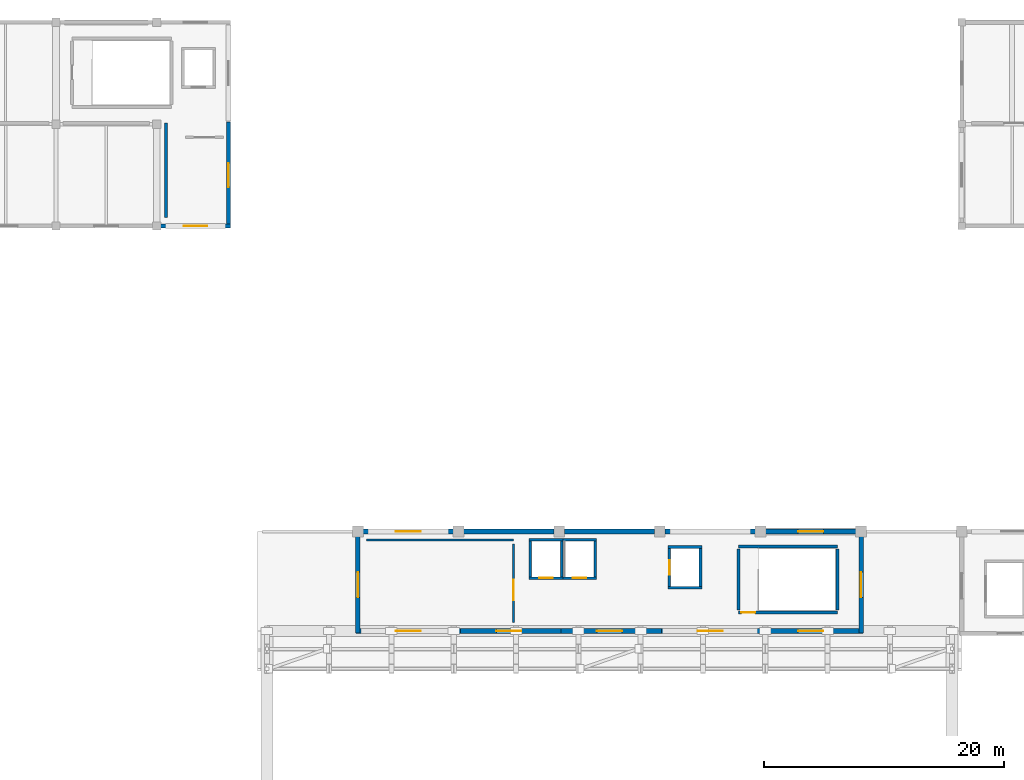
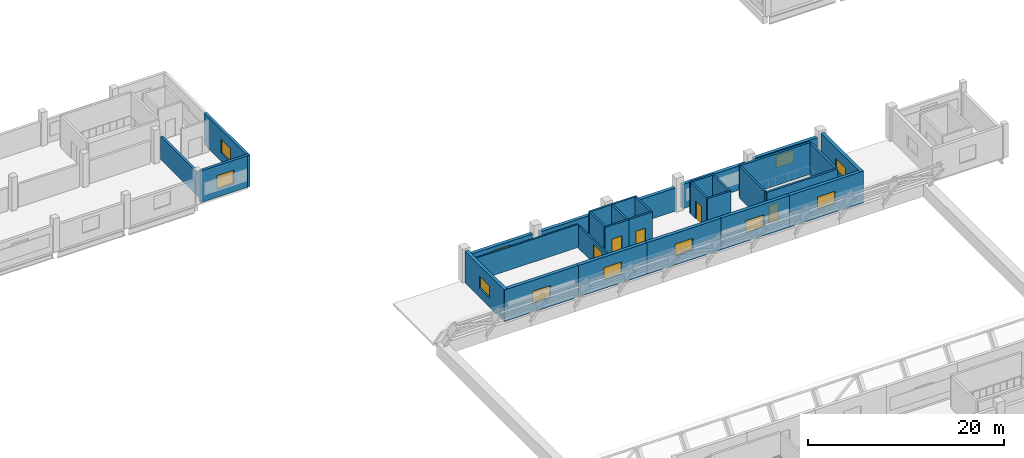
# One storey, part 42 of 52: 32 walls, 11 windows, 5 doors, 16 openings.
"""IFC4 building model written with IfcOpenShell, lengths in metres."""

from ifc_helpers import new_model, si_unit, direction, frame, frame_2d, origin, place, context, subcontext, project, spatial, rectangle, extrude, material, layer, layer_set, type_object, element, fill, save


model = new_model("IFC4")

# Units and contexts
model_context = context("Model", 3, precision=1e-05, world=origin(), true_north=direction((0.0, 1.0)))
body_context = subcontext(model_context, "Body", "Model", "MODEL_VIEW")
ifc_project = project(units=[si_unit("LENGTHUNIT", "METRE"), si_unit("AREAUNIT", "SQUARE_METRE"), si_unit("VOLUMEUNIT", "CUBIC_METRE"), si_unit("PLANEANGLEUNIT", "RADIAN"), si_unit("MASSUNIT", "GRAM", prefix="KILO")], contexts=[model_context])

# Site, building, storey
site_placement = place(None, origin())
site = spatial("IfcSite", under=ifc_project, at=site_placement, CompositionType="ELEMENT")
building_placement = place(site_placement, origin())
building = spatial("IfcBuilding", under=site, at=building_placement, Name="Solvento Point Concert Hall", CompositionType="ELEMENT")
storey_placement = place(building_placement, frame((0.0, 0.0, 19.5)))
storey = spatial("IfcBuildingStorey", under=building, at=storey_placement, Name="L04", CompositionType="ELEMENT", Elevation=19.5)

# Wall
ifc_material_1 = material(Name="Acoustic Double-Stud Gypsum Partition")
ifc_layer_1 = layer(ifc_material_1, 0.179931640625)
ifc_layer_set_1 = layer_set([ifc_layer_1], Name="Acoustic Double-Stud Gypsum Partition")
wall_type_1 = type_object("IfcWallType", Name="AcousticPartition_180", PredefinedType="PARTITIONING", material=ifc_layer_set_1)
wall_1_placement = place(storey_placement, frame((83.5, 92.780029296875, 0.0), z_axis=(0.0, 0.0, 1.0), x_axis=(1.0, 0.0, 0.0)))
element("IfcWall", 1, at=wall_1_placement, inside=storey, type_object=wall_type_1, Name="Interior acoustic partition PW-63 L04", PredefinedType="PARTITIONING", context=body_context, shape_type="SweptSolid", body=[
    extrude(rectangle(XDim=12.280029296875, YDim=0.179931640625, at=frame_2d((6.14013671875, 0.0))), origin(), (0.0, 0.0, 1.0), 2.860107421875),
])

# Wall, opening, door
wall_2_placement = place(storey_placement, frame((95.780029296875, 92.4599609375, 0.0), z_axis=(0.0, 0.0, 1.0), x_axis=(0.0, -1.0, 0.0)))
wall_2 = element("IfcWall", 2, at=wall_2_placement, inside=storey, type_object=wall_type_1, Name="Interior acoustic partition PW-63 L04", PredefinedType="PARTITIONING", context=body_context, shape_type="SweptSolid", body=[
    extrude(rectangle(XDim=6.56005859375, YDim=0.179931640625, at=frame_2d((3.280029296875, 0.0))), origin(), (0.0, 0.0, 1.0), 2.860107421875),
])
opening_1_placement = place(wall_2_placement, frame((3.000732421875, 0.0, 0.0)))
opening_1 = element("IfcOpeningElement", 3, at=opening_1_placement, cuts=wall_2, Name="Opening DR-35", PredefinedType="OPENING", context=body_context, shape_type="SweptSolid", body=[
    extrude(rectangle(XDim=1.719970703125, YDim=2.360107421875, at=frame_2d((0.85986328125, 1.18017578125))), frame((0.0, 0.099853515625, 0.0), z_axis=(0.0, -1.0, 0.0), x_axis=(1.0, 0.0, 0.0)), (0.0, 0.0, 1.0), 0.199951171875),
])
ifc_material_2 = material(Name="Brazilian Hardwood Acoustic Door", Category="wood")
door_type_1 = type_object("IfcDoorType", Name="IntDoor_FoyerCafeRetail", OperationType="NOTDEFINED", PredefinedType="DOOR", material=ifc_material_2)
door_1_placement = place(opening_1_placement, origin())
door_1 = element("IfcDoor", 4, at=door_1_placement, inside=storey, type_object=door_type_1, Name="Interior door DR-35 L04", OperationType="SINGLE_SWING_LEFT", OverallHeight=2.360107421875, OverallWidth=1.719970703125, PredefinedType="DOOR", context=body_context, shape_type="SweptSolid", body=[
    extrude(rectangle(XDim=1.719970703125, YDim=2.360107421875, at=frame_2d((0.85986328125, 1.18017578125))), frame((0.0, 0.02490234375, 0.0), z_axis=(0.0, -1.0, 0.0), x_axis=(1.0, 0.0, 0.0)), (0.0, 0.0, 1.0), 0.050048828125),
])
fill(opening_1, door_1)

# Wall
ifc_material_3 = material(Name="Acoustic Double-Stud Gypsum Partition")
ifc_layer_2 = layer(ifc_material_3, 0.264892578125)
ifc_layer_set_2 = layer_set([ifc_layer_2], Name="Acoustic Double-Stud Gypsum Partition")
wall_type_2 = type_object("IfcWallType", Name="AcousticPartition_265", PredefinedType="PARTITIONING", material=ifc_layer_set_2)
wall_3_placement = place(storey_placement, frame((66.780029296875, 127.580078125, 0.0), z_axis=(0.0, 0.0, 1.0), x_axis=(0.0, -1.0, 0.0)))
element("IfcWall", 5, at=wall_3_placement, inside=storey, type_object=wall_type_2, Name="Interior acoustic partition PW-68 L04", PredefinedType="PARTITIONING", context=body_context, shape_type="SweptSolid", body=[
    extrude(rectangle(XDim=7.880126953125, YDim=0.264892578125, at=frame_2d((3.93994140625, 0.0))), origin(), (0.0, 0.0, 1.0), 2.860107421875),
])

# Wall, opening, door
ifc_material_4 = material(Name="Concrete C40/50", Category="concrete")
ifc_layer_3 = layer(ifc_material_4, 0.300048828125)
ifc_layer_set_3 = layer_set([ifc_layer_3], Name="Concrete C40/50")
wall_type_3 = type_object("IfcWallType", Name="CoreShearWall_300", PredefinedType="SHEAR", material=ifc_layer_set_3)
wall_4_placement = place(storey_placement, frame((122.85009765625, 86.75, 0.0), z_axis=(0.0, 0.0, 1.0), x_axis=(-1.0, 0.0, 0.0)))
wall_4 = element("IfcWall", 6, at=wall_4_placement, inside=storey, type_object=wall_type_3, Name="Stair core shear wall W-SH1 ST-03 L04", PredefinedType="SHEAR", context=body_context, shape_type="SweptSolid", body=[
    extrude(rectangle(XDim=8.300048828125, YDim=0.25, at=frame_2d((4.14990234375, 0.0))), origin(), (0.0, 0.0, 1.0), 3.93994140625),
])
opening_2_placement = place(wall_4_placement, frame((6.89990234375, 0.0, 0.0)))
opening_2 = element("IfcOpeningElement", 7, at=opening_2_placement, cuts=wall_4, Name="Opening D-ST1", PredefinedType="OPENING", context=body_context, shape_type="SweptSolid", body=[
    extrude(rectangle(XDim=1.14990234375, YDim=2.179931640625, at=frame_2d((0.574951171875, 1.08984375))), frame((0.0, 0.135009765625, 0.0), z_axis=(0.0, -1.0, 0.0), x_axis=(1.0, 0.0, 0.0)), (0.0, 0.0, 1.0), 0.27001953125),
])
ifc_material_5 = material(Name="Hollow Metal Acoustic Fire Door")
door_type_2 = type_object("IfcDoorType", Name="StairFireDoor_1150", OperationType="NOTDEFINED", PredefinedType="DOOR", material=ifc_material_5)
door_2_placement = place(opening_2_placement, origin())
door_2 = element("IfcDoor", 8, at=door_2_placement, inside=storey, type_object=door_type_2, Name="Protected exit stair door ST-03 L04", OperationType="SINGLE_SWING_RIGHT", OverallHeight=2.179931640625, OverallWidth=1.14990234375, PredefinedType="DOOR", context=body_context, shape_type="SweptSolid", body=[
    extrude(rectangle(XDim=1.14990234375, YDim=2.179931640625, at=frame_2d((0.574951171875, 1.08984375))), frame((0.0, 0.02490234375, 0.0), z_axis=(0.0, -1.0, 0.0), x_axis=(1.0, 0.0, 0.0)), (0.0, 0.0, 1.0), 0.050048828125),
])
fill(opening_2, door_2)

# Walls
wall_5_placement = place(storey_placement, frame((114.550048828125, 92.25, 0.0), z_axis=(0.0, 0.0, 1.0), x_axis=(1.0, 0.0, 0.0)))
element("IfcWall", 9, at=wall_5_placement, inside=storey, type_object=wall_type_3, Name="Stair core shear wall W-SH1 ST-03 L04", PredefinedType="SHEAR", context=body_context, shape_type="SweptSolid", body=[
    extrude(rectangle(XDim=8.300048828125, YDim=0.25, at=frame_2d((4.14990234375, 0.0))), origin(), (0.0, 0.0, 1.0), 3.93994140625),
])
for number, where, z_axis, x_axis, name in (
    (10, (114.550048828125, 86.949951171875, 0.0), (0.0, 0.0, 1.0), (0.0, 1.0, 0.0), "Stair core shear wall W-SH1 ST-03 L04"),
    (11, (122.85009765625, 92.050048828125, 0.0), (0.0, 0.0, 1.0), (0.0, -1.0, 0.0), "Stair core shear wall W-SH1 ST-03 L04"),
):
    element("IfcWall", number, at=place(storey_placement, frame(where, z_axis=z_axis, x_axis=x_axis)), inside=storey, type_object=wall_type_3, Name=name, PredefinedType="SHEAR", context=body_context, shape_type="SweptSolid", body=[
        extrude(rectangle(XDim=5.10009765625, YDim=0.25, at=frame_2d((2.550048828125, 0.0))), origin(), (0.0, 0.0, 1.0), 3.93994140625),
    ])
for number, where, z_axis, x_axis, name in (
    (12, (108.68994140625, 88.800048828125, 0.0), (0.0, 0.0, 1.0), (1.0, 0.0, 0.0), "Elevator shaft shear wall W-SH1 LF-02 L04"),
    (13, (108.68994140625, 92.199951171875, 0.0), (0.0, 0.0, 1.0), (1.0, 0.0, 0.0), "Elevator shaft shear wall W-SH1 LF-02 L04"),
):
    element("IfcWall", number, at=place(storey_placement, frame(where, z_axis=z_axis, x_axis=x_axis)), inside=storey, type_object=wall_type_3, Name=name, PredefinedType="SHEAR", context=body_context, shape_type="SweptSolid", body=[
        extrude(rectangle(XDim=2.820068359375, YDim=0.219970703125, at=frame_2d((1.41015625, 0.0))), origin(), (0.0, 0.0, 1.0), 3.93994140625),
    ])

# Wall, opening, door
wall_6_placement = place(storey_placement, frame((108.800048828125, 88.909912109375, 0.0), z_axis=(0.0, 0.0, 1.0), x_axis=(0.0, 1.0, 0.0)))
wall_6 = element("IfcWall", 14, at=wall_6_placement, inside=storey, type_object=wall_type_3, Name="Elevator shaft shear wall W-SH1 LF-02 L04", PredefinedType="SHEAR", context=body_context, shape_type="SweptSolid", body=[
    extrude(rectangle(XDim=3.18017578125, YDim=0.219970703125, at=frame_2d((1.590087890625, 0.0))), origin(), (0.0, 0.0, 1.0), 3.93994140625),
])
opening_3_placement = place(wall_6_placement, frame((0.989990234375, 0.0, 0.0)))
opening_3 = element("IfcOpeningElement", 15, at=opening_3_placement, cuts=wall_6, Name="Opening LD-01", PredefinedType="OPENING", context=body_context, shape_type="SweptSolid", body=[
    extrude(rectangle(XDim=1.199951171875, YDim=2.25, at=frame_2d((0.60009765625, 1.125))), frame((0.0, 0.119873046875, 0.0), z_axis=(0.0, -1.0, 0.0), x_axis=(1.0, 0.0, 0.0)), (0.0, 0.0, 1.0), 0.239990234375),
])
ifc_material_6 = material(Name="Hollow Metal Acoustic Fire Door")
door_type_3 = type_object("IfcDoorType", Name="LiftLandingDoor_FF", OperationType="SLIDING_TO_LEFT", PredefinedType="DOOR", material=ifc_material_6)
door_3_placement = place(opening_3_placement, origin())
door_3 = element("IfcDoor", 16, at=door_3_placement, inside=storey, type_object=door_type_3, Name="Elevator landing door LF-02 L04", OperationType="SLIDING_TO_LEFT", OverallHeight=2.25, OverallWidth=1.199951171875, PredefinedType="DOOR", context=body_context, shape_type="SweptSolid", body=[
    extrude(rectangle(XDim=1.199951171875, YDim=2.25, at=frame_2d((0.60009765625, 1.125))), frame((0.0, 0.02490234375, 0.0), z_axis=(0.0, -1.0, 0.0), x_axis=(1.0, 0.0, 0.0)), (0.0, 0.0, 1.0), 0.050048828125),
])
fill(opening_3, door_3)

# Wall
wall_7_placement = place(storey_placement, frame((111.39990234375, 88.909912109375, 0.0), z_axis=(0.0, 0.0, 1.0), x_axis=(0.0, 1.0, 0.0)))
element("IfcWall", 17, at=wall_7_placement, inside=storey, type_object=wall_type_3, Name="Elevator shaft shear wall W-SH1 LF-02 L04", PredefinedType="SHEAR", context=body_context, shape_type="SweptSolid", body=[
    extrude(rectangle(XDim=3.18017578125, YDim=0.219970703125, at=frame_2d((1.590087890625, 0.0))), origin(), (0.0, 0.0, 1.0), 3.93994140625),
])

# Wall, opening, door
wall_8_placement = place(storey_placement, frame((97.090087890625, 89.60009765625, 0.0), z_axis=(0.0, 0.0, 1.0), x_axis=(1.0, 0.0, 0.0)))
wall_8 = element("IfcWall", 18, at=wall_8_placement, inside=storey, type_object=wall_type_3, Name="Elevator shaft shear wall W-SH1 LP-01 L04", PredefinedType="SHEAR", context=body_context, shape_type="SweptSolid", body=[
    extrude(rectangle(XDim=2.81982421875, YDim=0.219970703125, at=frame_2d((1.409912109375, 0.0))), origin(), (0.0, 0.0, 1.0), 3.93994140625),
])
opening_4_placement = place(wall_8_placement, frame((0.8349609375, 0.0, 0.0)))
opening_4 = element("IfcOpeningElement", 19, at=opening_4_placement, cuts=wall_8, Name="Opening LD-02", PredefinedType="OPENING", context=body_context, shape_type="SweptSolid", body=[
    extrude(rectangle(XDim=1.14990234375, YDim=2.199951171875, at=frame_2d((0.574951171875, 1.10009765625))), frame((0.0, 0.119873046875, 0.0), z_axis=(0.0, -1.0, 0.0), x_axis=(1.0, 0.0, 0.0)), (0.0, 0.0, 1.0), 0.239990234375),
])
ifc_material_7 = material(Name="Hollow Metal Acoustic Fire Door")
door_type_4 = type_object("IfcDoorType", Name="LiftLandingDoor_Pass", OperationType="SLIDING_TO_LEFT", PredefinedType="DOOR", material=ifc_material_7)
door_4_placement = place(opening_4_placement, origin())
door_4 = element("IfcDoor", 20, at=door_4_placement, inside=storey, type_object=door_type_4, Name="Elevator landing door LP-01 L04", OperationType="SLIDING_TO_LEFT", OverallHeight=2.199951171875, OverallWidth=1.14990234375, PredefinedType="DOOR", context=body_context, shape_type="SweptSolid", body=[
    extrude(rectangle(XDim=1.14990234375, YDim=2.199951171875, at=frame_2d((0.574951171875, 1.10009765625))), frame((0.0, 0.02490234375, 0.0), z_axis=(0.0, -1.0, 0.0), x_axis=(1.0, 0.0, 0.0)), (0.0, 0.0, 1.0), 0.050048828125),
])
fill(opening_4, door_4)

# Walls
wall_9_placement = place(storey_placement, frame((97.090087890625, 92.800048828125, 0.0), z_axis=(0.0, 0.0, 1.0), x_axis=(1.0, 0.0, 0.0)))
element("IfcWall", 21, at=wall_9_placement, inside=storey, type_object=wall_type_3, Name="Elevator shaft shear wall W-SH1 LP-01 L04", PredefinedType="SHEAR", context=body_context, shape_type="SweptSolid", body=[
    extrude(rectangle(XDim=2.81982421875, YDim=0.219970703125, at=frame_2d((1.409912109375, 0.0))), origin(), (0.0, 0.0, 1.0), 3.93994140625),
])
for number, where, z_axis, x_axis, name in (
    (22, (97.199951171875, 89.7099609375, 0.0), (0.0, 0.0, 1.0), (0.0, 1.0, 0.0), "Elevator shaft shear wall W-SH1 LP-01 L04"),
    (23, (99.800048828125, 89.7099609375, 0.0), (0.0, 0.0, 1.0), (0.0, 1.0, 0.0), "Elevator shaft shear wall W-SH1 LP-01 L04"),
):
    element("IfcWall", number, at=place(storey_placement, frame(where, z_axis=z_axis, x_axis=x_axis)), inside=storey, type_object=wall_type_3, Name=name, PredefinedType="SHEAR", context=body_context, shape_type="SweptSolid", body=[
        extrude(rectangle(XDim=2.97998046875, YDim=0.219970703125, at=frame_2d((1.489990234375, 0.0))), origin(), (0.0, 0.0, 1.0), 3.93994140625),
    ])

# Wall, opening, door
wall_10_placement = place(storey_placement, frame((99.909912109375, 89.60009765625, 0.0), z_axis=(0.0, 0.0, 1.0), x_axis=(1.0, 0.0, 0.0)))
wall_10 = element("IfcWall", 24, at=wall_10_placement, inside=storey, type_object=wall_type_3, Name="Elevator shaft shear wall W-SH1 LP-02 L04", PredefinedType="SHEAR", context=body_context, shape_type="SweptSolid", body=[
    extrude(rectangle(XDim=2.800048828125, YDim=0.219970703125, at=frame_2d((1.39990234375, 0.0))), origin(), (0.0, 0.0, 1.0), 3.93994140625),
])
opening_5_placement = place(wall_10_placement, frame((0.81494140625, 0.0, 0.0)))
opening_5 = element("IfcOpeningElement", 25, at=opening_5_placement, cuts=wall_10, Name="Opening LD-02", PredefinedType="OPENING", context=body_context, shape_type="SweptSolid", body=[
    extrude(rectangle(XDim=1.14990234375, YDim=2.199951171875, at=frame_2d((0.574951171875, 1.10009765625))), frame((0.0, 0.119873046875, 0.0), z_axis=(0.0, -1.0, 0.0), x_axis=(1.0, 0.0, 0.0)), (0.0, 0.0, 1.0), 0.239990234375),
])
door_5_placement = place(opening_5_placement, origin())
door_5 = element("IfcDoor", 26, at=door_5_placement, inside=storey, type_object=door_type_4, Name="Elevator landing door LP-02 L04", OperationType="SLIDING_TO_LEFT", OverallHeight=2.199951171875, OverallWidth=1.14990234375, PredefinedType="DOOR", context=body_context, shape_type="SweptSolid", body=[
    extrude(rectangle(XDim=1.14990234375, YDim=2.199951171875, at=frame_2d((0.574951171875, 1.10009765625))), frame((0.0, 0.02490234375, 0.0), z_axis=(0.0, -1.0, 0.0), x_axis=(1.0, 0.0, 0.0)), (0.0, 0.0, 1.0), 0.050048828125),
])
fill(opening_5, door_5)

# Walls
wall_11_placement = place(storey_placement, frame((99.909912109375, 92.800048828125, 0.0), z_axis=(0.0, 0.0, 1.0), x_axis=(1.0, 0.0, 0.0)))
element("IfcWall", 27, at=wall_11_placement, inside=storey, type_object=wall_type_3, Name="Elevator shaft shear wall W-SH1 LP-02 L04", PredefinedType="SHEAR", context=body_context, shape_type="SweptSolid", body=[
    extrude(rectangle(XDim=2.800048828125, YDim=0.219970703125, at=frame_2d((1.39990234375, 0.0))), origin(), (0.0, 0.0, 1.0), 3.93994140625),
])
wall_12_placement = place(storey_placement, frame((102.60009765625, 89.7099609375, 0.0), z_axis=(0.0, 0.0, 1.0), x_axis=(0.0, 1.0, 0.0)))
element("IfcWall", 28, at=wall_12_placement, inside=storey, type_object=wall_type_3, Name="Elevator shaft shear wall W-SH1 LP-02 L04", PredefinedType="SHEAR", context=body_context, shape_type="SweptSolid", body=[
    extrude(rectangle(XDim=2.97998046875, YDim=0.219970703125, at=frame_2d((1.489990234375, 0.0))), origin(), (0.0, 0.0, 1.0), 3.93994140625),
])

# Wall, opening, window
ifc_material_8 = material(Name="Concrete C40/50", Category="concrete")
ifc_layer_4 = layer(ifc_material_8, 0.389892578125)
ifc_layer_set_4 = layer_set([ifc_layer_4], Name="Concrete C40/50")
wall_type_4 = type_object("IfcWallType", Name="ExtWall_V1_Gallery_390", PredefinedType="SOLIDWALL", material=ifc_layer_set_4)
wall_13_placement = place(storey_placement, frame((82.800048828125, 85.0400390625, 0.0), z_axis=(0.0, 0.0, 1.0), x_axis=(0.0, 1.0, 0.0)))
wall_13 = element("IfcWall", 29, at=wall_13_placement, inside=storey, type_object=wall_type_4, Name="Exterior architectural concrete wall EW-28 L04", PredefinedType="SOLIDWALL", context=body_context, shape_type="SweptSolid", body=[
    extrude(rectangle(XDim=8.030029296875, YDim=0.389892578125, at=frame_2d((4.01513671875, 0.0))), origin(), (0.0, 0.0, 1.0), 3.93994140625),
])
opening_6_placement = place(wall_13_placement, frame((2.965087890625, 0.0, 1.10009765625)))
opening_6 = element("IfcOpeningElement", 30, at=opening_6_placement, cuts=wall_13, Name="Opening WN-80", PredefinedType="OPENING", context=body_context, shape_type="SweptSolid", body=[
    extrude(rectangle(XDim=2.10009765625, YDim=1.5, at=frame_2d((1.050048828125, 0.75))), frame((0.0, 0.204833984375, 0.0), z_axis=(0.0, -1.0, 0.0), x_axis=(1.0, 0.0, 0.0)), (0.0, 0.0, 1.0), 0.409912109375),
])
ifc_material_9 = material(Name="Hurricane Laminated Low-E Glass", Category="glass")
window_type_1 = type_object("IfcWindowType", Name="Win_V1_TechClerestory", PartitioningType="SINGLE_PANEL", PredefinedType="WINDOW", material=ifc_material_9)
window_1_placement = place(opening_6_placement, origin())
window_1 = element("IfcWindow", 31, at=window_1_placement, inside=storey, type_object=window_type_1, Name="Impact acoustic window WN-80", OverallHeight=1.5, OverallWidth=2.10009765625, PartitioningType="SINGLE_PANEL", PredefinedType="WINDOW", context=body_context, shape_type="SweptSolid", body=[
    extrude(rectangle(XDim=2.10009765625, YDim=1.5, at=frame_2d((1.050048828125, 0.75))), frame((0.0, 0.030029296875, 0.0), z_axis=(0.0, -1.0, 0.0), x_axis=(1.0, 0.0, 0.0)), (0.0, 0.0, 1.0), 0.06005859375),
])
fill(opening_6, window_1)

wall_14_placement = place(storey_placement, frame((83.22998046875, 93.5, 0.0), z_axis=(0.0, 0.0, 1.0), x_axis=(1.0, 0.0, 0.0)))
wall_14 = element("IfcWall", 32, at=wall_14_placement, inside=storey, type_object=wall_type_4, Name="Exterior architectural concrete wall EW-28 L04", PredefinedType="SOLIDWALL", context=body_context, shape_type="SweptSolid", body=[
    extrude(rectangle(XDim=7.5400390625, YDim=0.389892578125, at=frame_2d((3.77001953125, 0.0))), origin(), (0.0, 0.0, 1.0), 3.06494140625),
])
opening_7_placement = place(wall_14_placement, frame((2.719970703125, 0.0, 1.10009765625)))
opening_7 = element("IfcOpeningElement", 33, at=opening_7_placement, cuts=wall_14, Name="Opening WN-80", PredefinedType="OPENING", context=body_context, shape_type="SweptSolid", body=[
    extrude(rectangle(XDim=2.10009765625, YDim=1.5, at=frame_2d((1.050048828125, 0.75))), frame((0.0, 0.204833984375, 0.0), z_axis=(0.0, -1.0, 0.0), x_axis=(1.0, 0.0, 0.0)), (0.0, 0.0, 1.0), 0.409912109375),
])
window_2_placement = place(opening_7_placement, origin())
window_2 = element("IfcWindow", 34, at=window_2_placement, inside=storey, type_object=window_type_1, Name="Impact acoustic window WN-80", OverallHeight=1.5, OverallWidth=2.10009765625, PartitioningType="SINGLE_PANEL", PredefinedType="WINDOW", context=body_context, shape_type="SweptSolid", body=[
    extrude(rectangle(XDim=2.10009765625, YDim=1.5, at=frame_2d((1.050048828125, 0.75))), frame((0.0, 0.030029296875, 0.0), z_axis=(0.0, -1.0, 0.0), x_axis=(1.0, 0.0, 0.0)), (0.0, 0.0, 1.0), 0.06005859375),
])
fill(opening_7, window_2)

# Walls
wall_15_placement = place(storey_placement, frame((91.6298828125, 93.5, 0.0), z_axis=(0.0, 0.0, 1.0), x_axis=(1.0, 0.0, 0.0)))
element("IfcWall", 35, at=wall_15_placement, inside=storey, type_object=wall_type_4, Name="Exterior architectural concrete wall EW-28 L04", PredefinedType="SOLIDWALL", context=body_context, shape_type="SweptSolid", body=[
    extrude(rectangle(XDim=7.5400390625, YDim=0.389892578125, at=frame_2d((3.77001953125, 0.0))), origin(), (0.0, 0.0, 1.0), 2.9970703125),
])
wall_16_placement = place(storey_placement, frame((100.030029296875, 93.5, 0.0), z_axis=(0.0, 0.0, 1.0), x_axis=(1.0, 0.0, 0.0)))
element("IfcWall", 36, at=wall_16_placement, inside=storey, type_object=wall_type_4, Name="Exterior architectural concrete wall EW-28 L04", PredefinedType="SOLIDWALL", context=body_context, shape_type="SweptSolid", body=[
    extrude(rectangle(XDim=7.5400390625, YDim=0.389892578125, at=frame_2d((3.77001953125, 0.0))), origin(), (0.0, 0.0, 1.0), 2.89794921875),
])
wall_17_placement = place(storey_placement, frame((108.429931640625, 93.5, 0.0), z_axis=(0.0, 0.0, 1.0), x_axis=(1.0, 0.0, 0.0)))
element("IfcWall", 37, at=wall_17_placement, inside=storey, type_object=wall_type_4, Name="Exterior architectural concrete wall EW-28 L04", PredefinedType="SOLIDWALL", context=body_context, shape_type="SweptSolid", body=[
    extrude(rectangle(XDim=7.5400390625, YDim=0.389892578125, at=frame_2d((3.77001953125, 0.0))), origin(), (0.0, 0.0, 1.0), 3.02392578125),
])

# Wall, opening, window
wall_18_placement = place(storey_placement, frame((116.830078125, 93.5, 0.0), z_axis=(0.0, 0.0, 1.0), x_axis=(1.0, 0.0, 0.0)))
wall_18 = element("IfcWall", 38, at=wall_18_placement, inside=storey, type_object=wall_type_4, Name="Exterior architectural concrete wall EW-28 L04", PredefinedType="SOLIDWALL", context=body_context, shape_type="SweptSolid", body=[
    extrude(rectangle(XDim=7.5400390625, YDim=0.389892578125, at=frame_2d((3.77001953125, 0.0))), origin(), (0.0, 0.0, 1.0), 3.31591796875),
])
opening_8_placement = place(wall_18_placement, frame((2.719970703125, 0.0, 1.10009765625)))
opening_8 = element("IfcOpeningElement", 39, at=opening_8_placement, cuts=wall_18, Name="Opening WN-80", PredefinedType="OPENING", context=body_context, shape_type="SweptSolid", body=[
    extrude(rectangle(XDim=2.10009765625, YDim=1.5, at=frame_2d((1.050048828125, 0.75))), frame((0.0, 0.204833984375, 0.0), z_axis=(0.0, -1.0, 0.0), x_axis=(1.0, 0.0, 0.0)), (0.0, 0.0, 1.0), 0.409912109375),
])
window_3_placement = place(opening_8_placement, origin())
window_3 = element("IfcWindow", 40, at=window_3_placement, inside=storey, type_object=window_type_1, Name="Impact acoustic window WN-80", OverallHeight=1.5, OverallWidth=2.10009765625, PartitioningType="SINGLE_PANEL", PredefinedType="WINDOW", context=body_context, shape_type="SweptSolid", body=[
    extrude(rectangle(XDim=2.10009765625, YDim=1.5, at=frame_2d((1.050048828125, 0.75))), frame((0.0, 0.030029296875, 0.0), z_axis=(0.0, -1.0, 0.0), x_axis=(1.0, 0.0, 0.0)), (0.0, 0.0, 1.0), 0.06005859375),
])
fill(opening_8, window_3)

wall_19_placement = place(storey_placement, frame((124.800048828125, 93.070068359375, 0.0), z_axis=(0.0, 0.0, 1.0), x_axis=(0.0, -1.0, 0.0)))
wall_19 = element("IfcWall", 41, at=wall_19_placement, inside=storey, type_object=wall_type_4, Name="Exterior architectural concrete wall EW-28 L04", PredefinedType="SOLIDWALL", context=body_context, shape_type="SweptSolid", body=[
    extrude(rectangle(XDim=8.030029296875, YDim=0.389892578125, at=frame_2d((4.01513671875, 0.0))), origin(), (0.0, 0.0, 1.0), 3.93994140625),
])
opening_9_placement = place(wall_19_placement, frame((2.965087890625, 0.0, 1.10009765625)))
opening_9 = element("IfcOpeningElement", 42, at=opening_9_placement, cuts=wall_19, Name="Opening WN-80", PredefinedType="OPENING", context=body_context, shape_type="SweptSolid", body=[
    extrude(rectangle(XDim=2.10009765625, YDim=1.5, at=frame_2d((1.050048828125, 0.75))), frame((0.0, 0.204833984375, 0.0), z_axis=(0.0, -1.0, 0.0), x_axis=(1.0, 0.0, 0.0)), (0.0, 0.0, 1.0), 0.409912109375),
])
window_4_placement = place(opening_9_placement, origin())
window_4 = element("IfcWindow", 43, at=window_4_placement, inside=storey, type_object=window_type_1, Name="Impact acoustic window WN-80", OverallHeight=1.5, OverallWidth=2.10009765625, PartitioningType="SINGLE_PANEL", PredefinedType="WINDOW", context=body_context, shape_type="SweptSolid", body=[
    extrude(rectangle(XDim=2.10009765625, YDim=1.5, at=frame_2d((1.050048828125, 0.75))), frame((0.0, 0.030029296875, 0.0), z_axis=(0.0, -1.0, 0.0), x_axis=(1.0, 0.0, 0.0)), (0.0, 0.0, 1.0), 0.06005859375),
])
fill(opening_9, window_4)

wall_20_placement = place(storey_placement, frame((91.360107421875, 85.199951171875, 0.0), z_axis=(0.0, 0.0, 1.0), x_axis=(-1.0, 0.0, 0.0)))
wall_20 = element("IfcWall", 44, at=wall_20_placement, inside=storey, type_object=wall_type_4, Name="Exterior architectural concrete wall EW-28 L04", PredefinedType="SOLIDWALL", context=body_context, shape_type="SweptSolid", body=[
    extrude(rectangle(XDim=8.72021484375, YDim=0.389892578125, at=frame_2d((4.360107421875, 0.0))), origin(), (0.0, 0.0, 1.0), 3.93994140625),
])
opening_10_placement = place(wall_20_placement, frame((3.31005859375, 0.0, 1.10009765625)))
opening_10 = element("IfcOpeningElement", 45, at=opening_10_placement, cuts=wall_20, Name="Opening WN-80", PredefinedType="OPENING", context=body_context, shape_type="SweptSolid", body=[
    extrude(rectangle(XDim=2.10009765625, YDim=1.5, at=frame_2d((1.050048828125, 0.75))), frame((0.0, 0.204833984375, 0.0), z_axis=(0.0, -1.0, 0.0), x_axis=(1.0, 0.0, 0.0)), (0.0, 0.0, 1.0), 0.409912109375),
])
window_5_placement = place(opening_10_placement, origin())
window_5 = element("IfcWindow", 46, at=window_5_placement, inside=storey, type_object=window_type_1, Name="Impact acoustic window WN-80", OverallHeight=1.5, OverallWidth=2.10009765625, PartitioningType="SINGLE_PANEL", PredefinedType="WINDOW", context=body_context, shape_type="SweptSolid", body=[
    extrude(rectangle(XDim=2.10009765625, YDim=1.5, at=frame_2d((1.050048828125, 0.75))), frame((0.0, 0.030029296875, 0.0), z_axis=(0.0, -1.0, 0.0), x_axis=(1.0, 0.0, 0.0)), (0.0, 0.0, 1.0), 0.06005859375),
])
fill(opening_10, window_5)

wall_21_placement = place(storey_placement, frame((99.760009765625, 85.199951171875, 0.0), z_axis=(0.0, 0.0, 1.0), x_axis=(-1.0, 0.0, 0.0)))
wall_21 = element("IfcWall", 47, at=wall_21_placement, inside=storey, type_object=wall_type_4, Name="Exterior architectural concrete wall EW-28 L04", PredefinedType="SOLIDWALL", context=body_context, shape_type="SweptSolid", body=[
    extrude(rectangle(XDim=8.719970703125, YDim=0.389892578125, at=frame_2d((4.35986328125, 0.0))), origin(), (0.0, 0.0, 1.0), 3.93994140625),
])
opening_11_placement = place(wall_21_placement, frame((3.31005859375, 0.0, 1.10009765625)))
opening_11 = element("IfcOpeningElement", 48, at=opening_11_placement, cuts=wall_21, Name="Opening WN-80", PredefinedType="OPENING", context=body_context, shape_type="SweptSolid", body=[
    extrude(rectangle(XDim=2.10009765625, YDim=1.5, at=frame_2d((1.050048828125, 0.75))), frame((0.0, 0.204833984375, 0.0), z_axis=(0.0, -1.0, 0.0), x_axis=(1.0, 0.0, 0.0)), (0.0, 0.0, 1.0), 0.409912109375),
])
window_6_placement = place(opening_11_placement, origin())
window_6 = element("IfcWindow", 49, at=window_6_placement, inside=storey, type_object=window_type_1, Name="Impact acoustic window WN-80", OverallHeight=1.5, OverallWidth=2.10009765625, PartitioningType="SINGLE_PANEL", PredefinedType="WINDOW", context=body_context, shape_type="SweptSolid", body=[
    extrude(rectangle(XDim=2.10009765625, YDim=1.5, at=frame_2d((1.050048828125, 0.75))), frame((0.0, 0.030029296875, 0.0), z_axis=(0.0, -1.0, 0.0), x_axis=(1.0, 0.0, 0.0)), (0.0, 0.0, 1.0), 0.06005859375),
])
fill(opening_11, window_6)

wall_22_placement = place(storey_placement, frame((108.159912109375, 85.199951171875, 0.0), z_axis=(0.0, 0.0, 1.0), x_axis=(-1.0, 0.0, 0.0)))
wall_22 = element("IfcWall", 50, at=wall_22_placement, inside=storey, type_object=wall_type_4, Name="Exterior architectural concrete wall EW-28 L04", PredefinedType="SOLIDWALL", context=body_context, shape_type="SweptSolid", body=[
    extrude(rectangle(XDim=8.719970703125, YDim=0.389892578125, at=frame_2d((4.35986328125, 0.0))), origin(), (0.0, 0.0, 1.0), 3.93994140625),
])
opening_12_placement = place(wall_22_placement, frame((3.31005859375, 0.0, 1.10009765625)))
opening_12 = element("IfcOpeningElement", 51, at=opening_12_placement, cuts=wall_22, Name="Opening WN-80", PredefinedType="OPENING", context=body_context, shape_type="SweptSolid", body=[
    extrude(rectangle(XDim=2.10009765625, YDim=1.5, at=frame_2d((1.050048828125, 0.75))), frame((0.0, 0.204833984375, 0.0), z_axis=(0.0, -1.0, 0.0), x_axis=(1.0, 0.0, 0.0)), (0.0, 0.0, 1.0), 0.409912109375),
])
window_7_placement = place(opening_12_placement, origin())
window_7 = element("IfcWindow", 52, at=window_7_placement, inside=storey, type_object=window_type_1, Name="Impact acoustic window WN-80", OverallHeight=1.5, OverallWidth=2.10009765625, PartitioningType="SINGLE_PANEL", PredefinedType="WINDOW", context=body_context, shape_type="SweptSolid", body=[
    extrude(rectangle(XDim=2.10009765625, YDim=1.5, at=frame_2d((1.050048828125, 0.75))), frame((0.0, 0.030029296875, 0.0), z_axis=(0.0, -1.0, 0.0), x_axis=(1.0, 0.0, 0.0)), (0.0, 0.0, 1.0), 0.06005859375),
])
fill(opening_12, window_7)

wall_23_placement = place(storey_placement, frame((116.56005859375, 85.199951171875, 0.0), z_axis=(0.0, 0.0, 1.0), x_axis=(-1.0, 0.0, 0.0)))
wall_23 = element("IfcWall", 53, at=wall_23_placement, inside=storey, type_object=wall_type_4, Name="Exterior architectural concrete wall EW-28 L04", PredefinedType="SOLIDWALL", context=body_context, shape_type="SweptSolid", body=[
    extrude(rectangle(XDim=8.719970703125, YDim=0.389892578125, at=frame_2d((4.35986328125, 0.0))), origin(), (0.0, 0.0, 1.0), 3.93994140625),
])
opening_13_placement = place(wall_23_placement, frame((3.31005859375, 0.0, 1.10009765625)))
opening_13 = element("IfcOpeningElement", 54, at=opening_13_placement, cuts=wall_23, Name="Opening WN-80", PredefinedType="OPENING", context=body_context, shape_type="SweptSolid", body=[
    extrude(rectangle(XDim=2.10009765625, YDim=1.5, at=frame_2d((1.050048828125, 0.75))), frame((0.0, 0.204833984375, 0.0), z_axis=(0.0, -1.0, 0.0), x_axis=(1.0, 0.0, 0.0)), (0.0, 0.0, 1.0), 0.409912109375),
])
window_8_placement = place(opening_13_placement, origin())
window_8 = element("IfcWindow", 55, at=window_8_placement, inside=storey, type_object=window_type_1, Name="Impact acoustic window WN-80", OverallHeight=1.5, OverallWidth=2.10009765625, PartitioningType="SINGLE_PANEL", PredefinedType="WINDOW", context=body_context, shape_type="SweptSolid", body=[
    extrude(rectangle(XDim=2.10009765625, YDim=1.5, at=frame_2d((1.050048828125, 0.75))), frame((0.0, 0.030029296875, 0.0), z_axis=(0.0, -1.0, 0.0), x_axis=(1.0, 0.0, 0.0)), (0.0, 0.0, 1.0), 0.06005859375),
])
fill(opening_13, window_8)

wall_24_placement = place(storey_placement, frame((124.9599609375, 85.199951171875, 0.0), z_axis=(0.0, 0.0, 1.0), x_axis=(-1.0, 0.0, 0.0)))
wall_24 = element("IfcWall", 56, at=wall_24_placement, inside=storey, type_object=wall_type_4, Name="Exterior architectural concrete wall EW-28 L04", PredefinedType="SOLIDWALL", context=body_context, shape_type="SweptSolid", body=[
    extrude(rectangle(XDim=8.719970703125, YDim=0.389892578125, at=frame_2d((4.35986328125, 0.0))), origin(), (0.0, 0.0, 1.0), 3.93994140625),
])
opening_14_placement = place(wall_24_placement, frame((3.31005859375, 0.0, 1.10009765625)))
opening_14 = element("IfcOpeningElement", 57, at=opening_14_placement, cuts=wall_24, Name="Opening WN-80", PredefinedType="OPENING", context=body_context, shape_type="SweptSolid", body=[
    extrude(rectangle(XDim=2.10009765625, YDim=1.5, at=frame_2d((1.050048828125, 0.75))), frame((0.0, 0.204833984375, 0.0), z_axis=(0.0, -1.0, 0.0), x_axis=(1.0, 0.0, 0.0)), (0.0, 0.0, 1.0), 0.409912109375),
])
window_9_placement = place(opening_14_placement, origin())
window_9 = element("IfcWindow", 58, at=window_9_placement, inside=storey, type_object=window_type_1, Name="Impact acoustic window WN-80", OverallHeight=1.5, OverallWidth=2.10009765625, PartitioningType="SINGLE_PANEL", PredefinedType="WINDOW", context=body_context, shape_type="SweptSolid", body=[
    extrude(rectangle(XDim=2.10009765625, YDim=1.5, at=frame_2d((1.050048828125, 0.75))), frame((0.0, 0.030029296875, 0.0), z_axis=(0.0, -1.0, 0.0), x_axis=(1.0, 0.0, 0.0)), (0.0, 0.0, 1.0), 0.06005859375),
])
fill(opening_14, window_9)

ifc_material_10 = material(Name="Concrete C40/50", Category="concrete")
ifc_layer_5 = layer(ifc_material_10, 0.31005859375)
ifc_layer_set_5 = layer_set([ifc_layer_5], Name="Concrete C40/50")
wall_type_5 = type_object("IfcWallType", Name="ExtWall_V4_Cler_310", PredefinedType="SOLIDWALL", material=ifc_layer_set_5)
wall_25_placement = place(storey_placement, frame((72.0, 127.659912109375, 0.0), z_axis=(0.0, 0.0, 1.0), x_axis=(0.0, -1.0, 0.0)))
wall_25 = element("IfcWall", 59, at=wall_25_placement, inside=storey, type_object=wall_type_5, Name="Exterior architectural concrete wall EW-30 L04", PredefinedType="SOLIDWALL", context=body_context, shape_type="SweptSolid", body=[
    extrude(rectangle(XDim=8.81982421875, YDim=0.31005859375, at=frame_2d((4.409912109375, 0.0))), origin(), (0.0, 0.0, 1.0), 3.93994140625),
])
opening_15_placement = place(wall_25_placement, frame((3.409912109375, 0.0, 1.050048828125)))
opening_15 = element("IfcOpeningElement", 60, at=opening_15_placement, cuts=wall_25, Name="Opening WN-14", PredefinedType="OPENING", context=body_context, shape_type="SweptSolid", body=[
    extrude(rectangle(XDim=2.0, YDim=1.64990234375, at=frame_2d((1.0, 0.824951171875))), frame((0.0, 0.1650390625, 0.0), z_axis=(0.0, -1.0, 0.0), x_axis=(1.0, 0.0, 0.0)), (0.0, 0.0, 1.0), 0.330078125),
])
ifc_material_11 = material(Name="Hurricane Laminated Low-E Glass", Category="glass")
window_type_2 = type_object("IfcWindowType", Name="Win_V4_Practice_L04", PartitioningType="SINGLE_PANEL", PredefinedType="WINDOW", material=ifc_material_11)
window_10_placement = place(opening_15_placement, origin())
window_10 = element("IfcWindow", 61, at=window_10_placement, inside=storey, type_object=window_type_2, Name="Impact acoustic window WN-14", OverallHeight=1.64990234375, OverallWidth=2.0, PartitioningType="SINGLE_PANEL", PredefinedType="WINDOW", context=body_context, shape_type="SweptSolid", body=[
    extrude(rectangle(XDim=2.0, YDim=1.64990234375, at=frame_2d((1.0, 0.824951171875))), frame((0.0, 0.030029296875, 0.0), z_axis=(0.0, -1.0, 0.0), x_axis=(1.0, 0.0, 0.0)), (0.0, 0.0, 1.0), 0.06005859375),
])
fill(opening_15, window_10)

wall_26_placement = place(storey_placement, frame((72.159912109375, 119.0, 0.0), z_axis=(0.0, 0.0, 1.0), x_axis=(-1.0, 0.0, 0.0)))
wall_26 = element("IfcWall", 62, at=wall_26_placement, inside=storey, type_object=wall_type_5, Name="Exterior architectural concrete wall EW-30 L04", PredefinedType="SOLIDWALL", context=body_context, shape_type="SweptSolid", body=[
    extrude(rectangle(XDim=5.829833984375, YDim=0.31005859375, at=frame_2d((2.9150390625, 0.0))), origin(), (0.0, 0.0, 1.0), 3.93994140625),
])
opening_16_placement = place(wall_26_placement, frame((1.9150390625, 0.0, 1.050048828125)))
opening_16 = element("IfcOpeningElement", 63, at=opening_16_placement, cuts=wall_26, Name="Opening WN-14", PredefinedType="OPENING", context=body_context, shape_type="SweptSolid", body=[
    extrude(rectangle(XDim=2.0, YDim=1.64990234375, at=frame_2d((1.0, 0.824951171875))), frame((0.0, 0.1650390625, 0.0), z_axis=(0.0, -1.0, 0.0), x_axis=(1.0, 0.0, 0.0)), (0.0, 0.0, 1.0), 0.330078125),
])
window_11_placement = place(opening_16_placement, origin())
window_11 = element("IfcWindow", 64, at=window_11_placement, inside=storey, type_object=window_type_2, Name="Impact acoustic window WN-14", OverallHeight=1.64990234375, OverallWidth=2.0, PartitioningType="SINGLE_PANEL", PredefinedType="WINDOW", context=body_context, shape_type="SweptSolid", body=[
    extrude(rectangle(XDim=2.0, YDim=1.64990234375, at=frame_2d((1.0, 0.824951171875))), frame((0.0, 0.030029296875, 0.0), z_axis=(0.0, -1.0, 0.0), x_axis=(1.0, 0.0, 0.0)), (0.0, 0.0, 1.0), 0.06005859375),
])
fill(opening_16, window_11)

save(model, "model.ifc")
